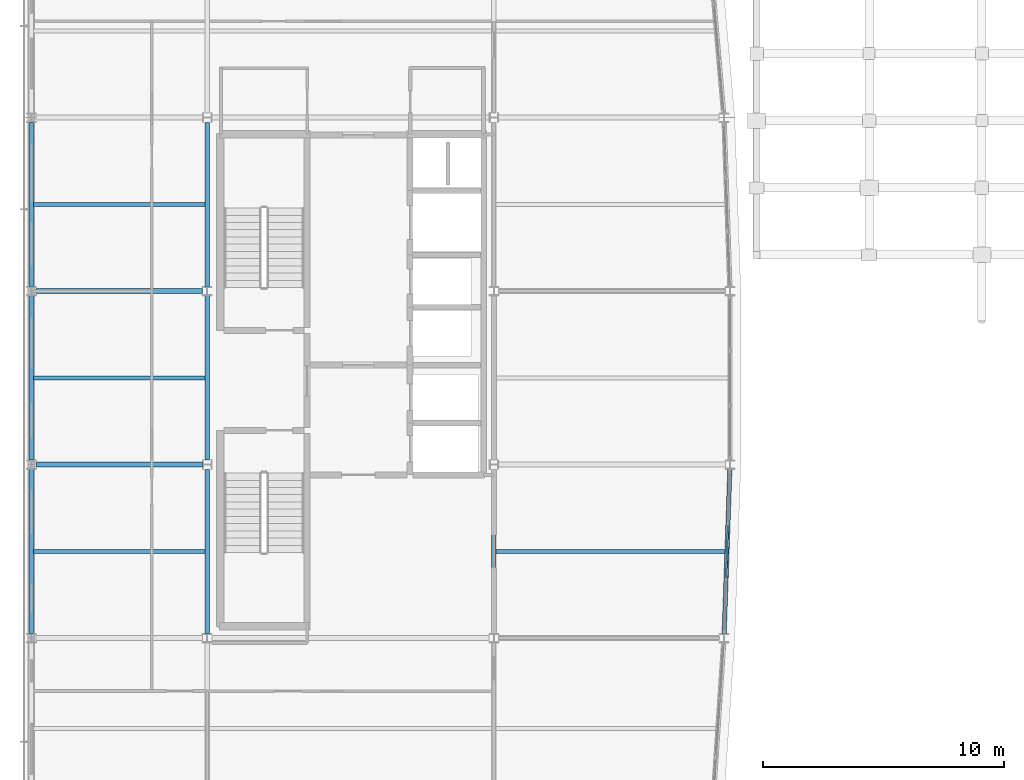
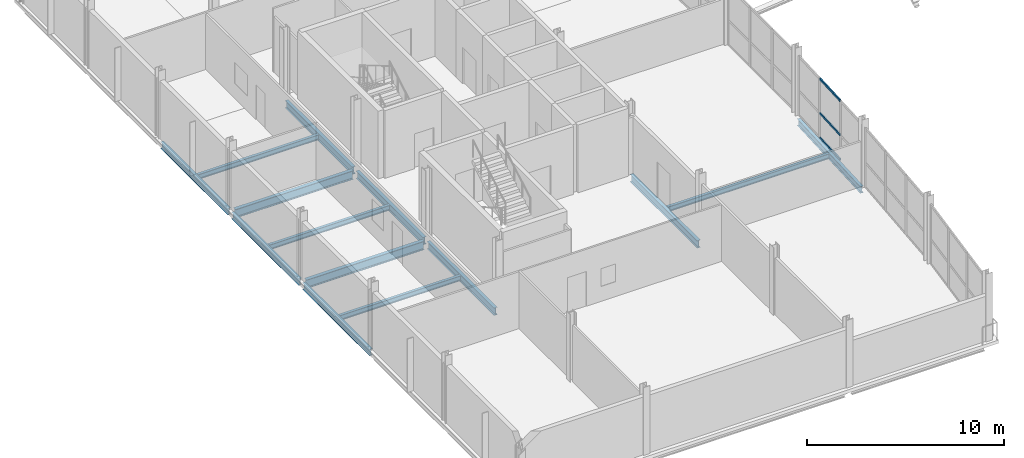
# One storey, part 8 of 36: 14 beams, 3 members, 1 element without a shape of its own.
"""IFC4 building model written with IfcOpenShell, lengths in metres."""

from ifc_helpers import new_model, si_unit, direction, frame, origin, origin_2d, place, context, subcontext, project, spatial, hollow_rectangle, i_section, extrude, material, layer, layer_set, material_profile, profile_set, type_object, element, aggregate, save


model = new_model("IFC4")

# Units and contexts
model_context = context("Model", 3, precision=1e-05, world=origin(), true_north=direction((0.0, 1.0)))
body_context = subcontext(model_context, "Body", "Model", "MODEL_VIEW")
ifc_project = project(units=[si_unit("LENGTHUNIT", "METRE"), si_unit("AREAUNIT", "SQUARE_METRE"), si_unit("VOLUMEUNIT", "CUBIC_METRE"), si_unit("PLANEANGLEUNIT", "RADIAN"), si_unit("MASSUNIT", "GRAM", prefix="KILO")], contexts=[model_context])

# Site, building, storey
site_placement = place(None, origin())
site = spatial("IfcSite", under=ifc_project, at=site_placement, CompositionType="ELEMENT")
building_placement = place(site_placement, origin())
building = spatial("IfcBuilding", under=site, at=building_placement, Name="Quillay Park Conservatory", CompositionType="ELEMENT")
storey_placement = place(building_placement, frame((0.0, 0.0, 18.300048828125)))
storey = spatial("IfcBuildingStorey", under=building, at=storey_placement, Name="L04", CompositionType="ELEMENT", Elevation=18.300048828125)

# Beams
ifc_material_1 = material(Name="Steel ASTM A992 Grade 50", Category="steel")
ifc_material_profile_1 = material_profile(ifc_material_1, i_section(OverallWidth=0.166015625, OverallDepth=0.31298828125, WebThickness=0.006591796875, FlangeThickness=0.01123046875, FilletRadius=0.010009765625, at=origin_2d()), Name="W310x45")
ifc_profile_set_1 = profile_set([ifc_material_profile_1], Name="Steel ASTM A992 Grade 50")
beam_type_1 = type_object("IfcBeamType", Name="COMPOSITE FLOOR JOIST W310 X45", PredefinedType="JOIST", material=ifc_profile_set_1)
beam_1_placement = place(storey_placement, frame((0.639892578125, 81.60009765625, -0.3564453125), z_axis=(1.0, 0.0, 0.0), x_axis=(0.0, 1.0, 0.0)))
element("IfcBeam", 1, at=beam_1_placement, inside=storey, type_object=beam_type_1, Name="L04 beam BM-J-0352", PredefinedType="JOIST", context=body_context, shape_type="SweptSolid", body=[
    extrude(i_section(OverallWidth=0.166015625, OverallDepth=0.31298828125, WebThickness=0.006591796875, FlangeThickness=0.01123046875, FilletRadius=0.010009765625, at=origin_2d()), origin(), (0.0, 0.0, 1.0), 7.114013671875),
])
beam_2_placement = place(storey_placement, frame((19.845947265625, 81.60009765625, -0.3564453125), z_axis=(1.0, 0.0, 0.0), x_axis=(0.0, 1.0, 0.0)))
element("IfcBeam", 2, at=beam_2_placement, inside=storey, type_object=beam_type_1, Name="L04 beam BM-J-0353", PredefinedType="JOIST", context=body_context, shape_type="SweptSolid", body=[
    extrude(i_section(OverallWidth=0.166015625, OverallDepth=0.31298828125, WebThickness=0.006591796875, FlangeThickness=0.01123046875, FilletRadius=0.010009765625, at=origin_2d()), origin(), (0.0, 0.0, 1.0), 9.489013671875),
])
for number, where, z_axis, x_axis, name in (
    (3, (0.639892578125, 88.800048828125, -0.3564453125), (1.0, 0.0, 0.0), (0.0, 1.0, 0.0), "L04 beam BM-J-0358"),
    (4, (0.639892578125, 96.0, -0.3564453125), (1.0, 0.0, 0.0), (0.0, 1.0, 0.0), "L04 beam BM-J-0364"),
):
    element("IfcBeam", number, at=place(storey_placement, frame(where, z_axis=z_axis, x_axis=x_axis)), inside=storey, type_object=beam_type_1, Name=name, PredefinedType="JOIST", context=body_context, shape_type="SweptSolid", body=[
        extrude(i_section(OverallWidth=0.166015625, OverallDepth=0.31298828125, WebThickness=0.006591796875, FlangeThickness=0.01123046875, FilletRadius=0.010009765625, at=origin_2d()), origin(), (0.0, 0.0, 1.0), 7.114013671875),
    ])

# Curtain wall, members
ifc_material_2 = material(Name="Thermally Broken Anodised Aluminium 6063-T6", Category="aluminium")
ifc_layer = layer(ifc_material_2, 0.179931640625)
ifc_layer_set = layer_set([ifc_layer], Name="UNITISED CURTAIN WALL TOWER (Thermally Broken Anodised Aluminium 6063-T6)")
curtain_wall_type = type_object("IfcCurtainWallType", Name="UNITISED CURTAIN WALL TOWER", PredefinedType="USERDEFINED", material=ifc_layer_set)
curtain_wall_placement = place(storey_placement, origin())
curtain_wall = element("IfcCurtainWall", 5, at=curtain_wall_placement, inside=storey, type_object=curtain_wall_type, Name="L04 Unitised Curtain Wall 040", ObjectType="UNITISED CURTAIN WALL", PredefinedType="USERDEFINED")
ifc_material_3 = material(Name="Thermally Broken Anodised Aluminium 6063-T6", Category="aluminium")
ifc_material_profile_2 = material_profile(ifc_material_3, hollow_rectangle(XDim=0.070068359375, YDim=0.1298828125, WallThickness=0.003173828125, at=origin_2d()), Name="AL70x130x3.2")
ifc_profile_set_2 = profile_set([ifc_material_profile_2], Name="Thermally Broken Anodised Aluminium 6063-T6")
member_type = type_object("IfcMemberType", Name="CURTAIN WALL TRANSOM 70 X130", PredefinedType="USERDEFINED", material=ifc_profile_set_2)
member_1_placement = place(storey_placement, frame((29.463134765625, 82.698486328125, 0.034912109375), z_axis=(-0.034653546152, -0.999399385501, 0.0), x_axis=(0.999399385501, -0.034653546152, 0.0)))
member_1 = element("IfcMember", 6, at=member_1_placement, type_object=member_type, Name="CW-T1 transom 2.1", ObjectType="TRANSOM", PredefinedType="USERDEFINED", context=body_context, shape_type="SweptSolid", body=[
    extrude(hollow_rectangle(XDim=0.070068359375, YDim=0.1298828125, WallThickness=0.003173828125, at=origin_2d()), origin(), (0.0, 0.0, 1.0), 2.197998046875),
])
member_2_placement = place(storey_placement, frame((29.463134765625, 82.698486328125, 1.558837890625), z_axis=(-0.034653546152, -0.999399385501, 0.0), x_axis=(0.999399385501, -0.034653546152, 0.0)))
member_2 = element("IfcMember", 7, at=member_2_placement, type_object=member_type, Name="CW-T1 transom 2.2", ObjectType="TRANSOM", PredefinedType="USERDEFINED", context=body_context, shape_type="SweptSolid", body=[
    extrude(hollow_rectangle(XDim=0.070068359375, YDim=0.1298828125, WallThickness=0.003173828125, at=origin_2d()), origin(), (0.0, 0.0, 1.0), 2.197998046875),
])
member_3_placement = place(storey_placement, frame((29.463134765625, 82.698486328125, 3.677001953125), z_axis=(-0.034653546152, -0.999399385501, 0.0), x_axis=(0.999399385501, -0.034653546152, 0.0)))
member_3 = element("IfcMember", 8, at=member_3_placement, type_object=member_type, Name="CW-T1 transom 2.3", ObjectType="TRANSOM", PredefinedType="USERDEFINED", context=body_context, shape_type="SweptSolid", body=[
    extrude(hollow_rectangle(XDim=0.070068359375, YDim=0.1298828125, WallThickness=0.003173828125, at=origin_2d()), origin(), (0.0, 0.0, 1.0), 2.197998046875),
])
aggregate(curtain_wall, [member_1, member_2, member_3])

# Beams
ifc_material_4 = material(Name="Steel ASTM A992 Grade 50", Category="steel")
ifc_material_profile_3 = material_profile(ifc_material_4, i_section(OverallWidth=0.179931640625, OverallDepth=0.4130859375, WebThickness=0.009765625, FlangeThickness=0.01611328125, FilletRadius=0.011962890625, at=origin_2d()), Name="W410x74")
ifc_profile_set_3 = profile_set([ifc_material_profile_3], Name="Steel ASTM A992 Grade 50")
beam_type_2 = type_object("IfcBeamType", Name="PERIMETER SPANDREL BEAM W410 X74", PredefinedType="SPANDREL", material=ifc_profile_set_3)
beam_3_placement = place(storey_placement, frame((0.550048828125, 78.18994140625, -0.406494140625), z_axis=(0.0, 1.0, 0.0), x_axis=(-1.0, 0.0, 0.0)))
element("IfcBeam", 9, at=beam_3_placement, inside=storey, type_object=beam_type_2, Name="L04 beam BM-SPW-0348", PredefinedType="SPANDREL", context=body_context, shape_type="SweptSolid", body=[
    extrude(i_section(OverallWidth=0.179931640625, OverallDepth=0.4130859375, WebThickness=0.009765625, FlangeThickness=0.01611328125, FilletRadius=0.011962890625, at=origin_2d()), origin(), (0.0, 0.0, 1.0), 6.820068359375),
])
beam_4_placement = place(storey_placement, frame((29.306640625, 78.18994140625, -0.406494140625), z_axis=(0.034702550726, 0.999397685095, 0.0), x_axis=(-0.999397685095, 0.034702550726, 0.0)))
element("IfcBeam", 10, at=beam_4_placement, inside=storey, type_object=beam_type_2, Name="L04 beam BM-SPE-0349", PredefinedType="SPANDREL", context=body_context, shape_type="SweptSolid", body=[
    extrude(i_section(OverallWidth=0.179931640625, OverallDepth=0.4130859375, WebThickness=0.009765625, FlangeThickness=0.01611328125, FilletRadius=0.011962890625, at=origin_2d()), origin(), (0.0, 0.0, 1.0), 6.82421875),
])
beam_5_placement = place(storey_placement, frame((0.550048828125, 85.389892578125, -0.406494140625), z_axis=(0.0, 1.0, 0.0), x_axis=(-1.0, 0.0, 0.0)))
element("IfcBeam", 11, at=beam_5_placement, inside=storey, type_object=beam_type_2, Name="L04 beam BM-SPW-0354", PredefinedType="SPANDREL", context=body_context, shape_type="SweptSolid", body=[
    extrude(i_section(OverallWidth=0.179931640625, OverallDepth=0.4130859375, WebThickness=0.009765625, FlangeThickness=0.01611328125, FilletRadius=0.011962890625, at=origin_2d()), origin(), (0.0, 0.0, 1.0), 6.820068359375),
])
beam_6_placement = place(storey_placement, frame((0.550048828125, 92.590087890625, -0.406494140625), z_axis=(0.0, 1.0, 0.0), x_axis=(-1.0, 0.0, 0.0)))
element("IfcBeam", 12, at=beam_6_placement, inside=storey, type_object=beam_type_2, Name="L04 beam BM-SPW-0360", PredefinedType="SPANDREL", context=body_context, shape_type="SweptSolid", body=[
    extrude(i_section(OverallWidth=0.179931640625, OverallDepth=0.4130859375, WebThickness=0.009765625, FlangeThickness=0.01611328125, FilletRadius=0.011962890625, at=origin_2d()), origin(), (0.0, 0.0, 1.0), 6.81982421875),
])
ifc_material_5 = material(Name="Steel ASTM A992 Grade 50", Category="steel")
ifc_material_profile_4 = material_profile(ifc_material_5, i_section(OverallWidth=0.19189453125, OverallDepth=0.462890625, WebThickness=0.010498046875, FlangeThickness=0.017578125, FilletRadius=0.012939453125, at=origin_2d()), Name="W460x89")
ifc_profile_set_4 = profile_set([ifc_material_profile_4], Name="Steel ASTM A992 Grade 50")
beam_type_3 = type_object("IfcBeamType", Name="PRIMARY FLOOR GIRDER W460 X89", PredefinedType="BEAM", material=ifc_profile_set_4)
for number, where, z_axis, x_axis, name in (
    (13, (7.85009765625, 78.18994140625, -0.431640625), (0.0, 1.0, 0.0), (-1.0, 0.0, 0.0), "L04 beam BM-GNS-0350"),
    (14, (19.75, 78.18994140625, -0.431640625), (0.0, 1.0, 0.0), (-1.0, 0.0, 0.0), "L04 beam BM-GNS-0351"),
    (15, (7.85009765625, 85.3974609375, -0.431640625), (0.0, 1.0, 0.0), (-1.0, 0.0, 0.0), "L04 beam BM-GNS-0356"),
    (16, (7.85009765625, 92.590087890625, -0.431640625), (0.0, 1.0, 0.0), (-1.0, 0.0, 0.0), "L04 beam BM-GNS-0362"),
):
    element("IfcBeam", number, at=place(storey_placement, frame(where, z_axis=z_axis, x_axis=x_axis)), inside=storey, type_object=beam_type_3, Name=name, PredefinedType="BEAM", context=body_context, shape_type="SweptSolid", body=[
        extrude(i_section(OverallWidth=0.19189453125, OverallDepth=0.462890625, WebThickness=0.010498046875, FlangeThickness=0.017578125, FilletRadius=0.012939453125, at=origin_2d()), origin(), (0.0, 0.0, 1.0), 6.8125),
    ])
ifc_material_6 = material(Name="Steel ASTM A992 Grade 50", Category="steel")
ifc_material_profile_5 = material_profile(ifc_material_6, i_section(OverallWidth=0.2109375, OverallDepth=0.5390625, WebThickness=0.01171875, FlangeThickness=0.018798828125, FilletRadius=0.013916015625, at=origin_2d()), Name="W530x109")
ifc_profile_set_5 = profile_set([ifc_material_profile_5], Name="Steel ASTM A992 Grade 50")
beam_type_4 = type_object("IfcBeamType", Name="PRIMARY FLOOR GIRDER W530 X109", PredefinedType="BEAM", material=ifc_profile_set_5)
beam_7_placement = place(storey_placement, frame((0.74755859375, 85.199951171875, -0.469482421875), z_axis=(1.0, 0.0, 0.0), x_axis=(0.0, 1.0, 0.0)))
element("IfcBeam", 17, at=beam_7_placement, inside=storey, type_object=beam_type_4, Name="L04 beam BM-G-0321", PredefinedType="BEAM", context=body_context, shape_type="SweptSolid", body=[
    extrude(i_section(OverallWidth=0.2109375, OverallDepth=0.5390625, WebThickness=0.01171875, FlangeThickness=0.018798828125, FilletRadius=0.013916015625, at=origin_2d()), origin(), (0.0, 0.0, 1.0), 6.912353515625),
])
beam_8_placement = place(storey_placement, frame((0.74755859375, 92.39990234375, -0.469482421875), z_axis=(1.0, 0.0, 0.0), x_axis=(0.0, 1.0, 0.0)))
element("IfcBeam", 18, at=beam_8_placement, inside=storey, type_object=beam_type_4, Name="L04 beam BM-G-0323", PredefinedType="BEAM", context=body_context, shape_type="SweptSolid", body=[
    extrude(i_section(OverallWidth=0.2109375, OverallDepth=0.5390625, WebThickness=0.01171875, FlangeThickness=0.018798828125, FilletRadius=0.013916015625, at=origin_2d()), origin(), (0.0, 0.0, 1.0), 6.905029296875),
])

save(model, "model.ifc")
